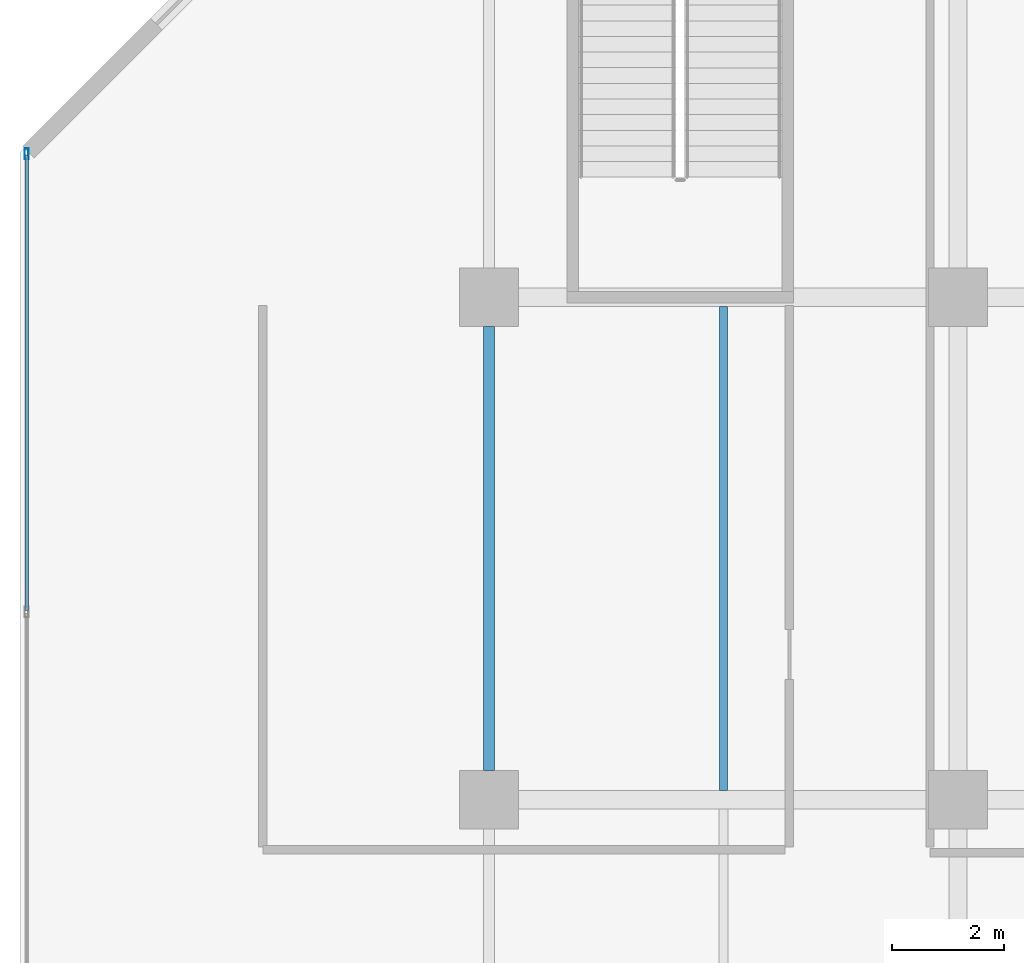
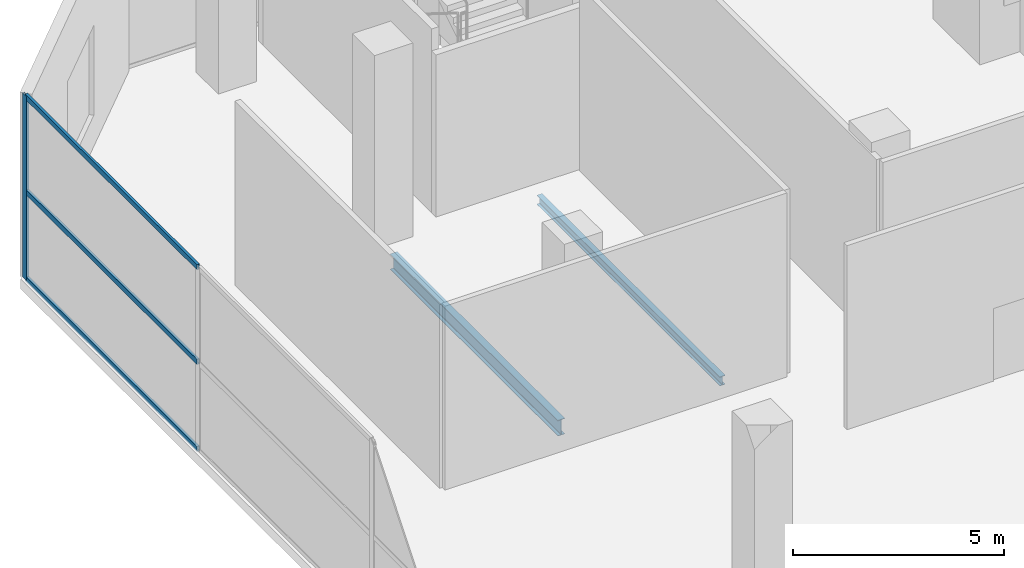
# One storey, part 18 of 40: 4 members, 2 beams, 1 element without a shape of its own.
"""IFC4 building model written with IfcOpenShell, lengths in metres."""

from ifc_helpers import new_model, si_unit, direction, frame, origin, origin_2d, place, context, subcontext, project, spatial, hollow_rectangle, i_section, extrude, material, layer, layer_set, material_profile, profile_set, type_object, element, aggregate, save


model = new_model("IFC4")

# Units and contexts
model_context = context("Model", 3, precision=1e-05, world=origin(), true_north=direction((0.0, 1.0)))
body_context = subcontext(model_context, "Body", "Model", "MODEL_VIEW")
ifc_project = project(units=[si_unit("LENGTHUNIT", "METRE"), si_unit("AREAUNIT", "SQUARE_METRE"), si_unit("VOLUMEUNIT", "CUBIC_METRE"), si_unit("PLANEANGLEUNIT", "RADIAN"), si_unit("MASSUNIT", "GRAM", prefix="KILO")], contexts=[model_context])

# Site, building, storey
site_placement = place(None, origin())
site = spatial("IfcSite", under=ifc_project, at=site_placement, CompositionType="ELEMENT")
building_placement = place(site_placement, origin())
building = spatial("IfcBuilding", under=site, at=building_placement, Name="Maruvema Waterfront Hotel and Observation Tower", CompositionType="ELEMENT")
storey_placement = place(building_placement, frame((0.0, 0.0, 10.85009765625)))
storey = spatial("IfcBuildingStorey", under=building, at=storey_placement, Name="L02", CompositionType="ELEMENT", Elevation=10.85009765625)

# Curtain wall, members
ifc_material_1 = material(Name="Anodised bronze aluminium and solar-control low-E IGU", Category="aluminium")
ifc_layer = layer(ifc_material_1, 0.159912109375, Name="Podium Waterfront Storefront Curtain Wall System CW-01")
ifc_layer_set = layer_set([ifc_layer], Name="Anodised bronze aluminium and solar-control low-E IGU")
curtain_wall_type = type_object("IfcCurtainWallType", Name="Podium Waterfront Storefront Curtain Wall System CW-01", PredefinedType="USERDEFINED", material=ifc_layer_set)
curtain_wall_placement = place(storey_placement, origin())
curtain_wall = element("IfcCurtainWall", 1, at=curtain_wall_placement, inside=storey, type_object=curtain_wall_type, Name="L02 Curtain Wall CW-L02-W", ObjectType="UNITISED CURTAIN WALL", PredefinedType="USERDEFINED")
ifc_material_2 = material(Name="Anodised architectural bronze aluminium", Category="aluminium")
ifc_material_profile_1 = material_profile(ifc_material_2, hollow_rectangle(XDim=0.070068359375, YDim=0.14990234375, WallThickness=0.00390625, at=origin_2d()), Name="ALU-T70x150")
ifc_profile_set_1 = profile_set([ifc_material_profile_1], Name="Anodised architectural bronze aluminium")
member_type_1 = type_object("IfcMemberType", Name="Curtain Wall Horizontal Transom ALU-T70x150", PredefinedType="USERDEFINED", material=ifc_profile_set_1)
member_1_placement = place(storey_placement, frame((0.1201171875, 47.5400390625, 0.02978515625), z_axis=(0.0, -1.0, 0.0), x_axis=(1.0, 0.0, 0.0)))
member_1 = element("IfcMember", 2, at=member_1_placement, type_object=member_type_1, Name="CW-01 transom 1.1", ObjectType="TRANSOM", PredefinedType="USERDEFINED", context=body_context, shape_type="SweptSolid", body=[
    extrude(hollow_rectangle(XDim=0.070068359375, YDim=0.14990234375, WallThickness=0.00390625, at=origin_2d()), origin(), (0.0, 0.0, 1.0), 8.150146484375),
])
member_2_placement = place(storey_placement, frame((0.1201171875, 47.5400390625, 2.5498046875), z_axis=(0.0, -1.0, 0.0), x_axis=(1.0, 0.0, 0.0)))
member_2 = element("IfcMember", 3, at=member_2_placement, type_object=member_type_1, Name="CW-01 transom 1.2", ObjectType="TRANSOM", PredefinedType="USERDEFINED", context=body_context, shape_type="SweptSolid", body=[
    extrude(hollow_rectangle(XDim=0.070068359375, YDim=0.14990234375, WallThickness=0.00390625, at=origin_2d()), origin(), (0.0, 0.0, 1.0), 8.150146484375),
])
member_3_placement = place(storey_placement, frame((0.1201171875, 47.5400390625, 5.289794921875), z_axis=(0.0, -1.0, 0.0), x_axis=(1.0, 0.0, 0.0)))
member_3 = element("IfcMember", 4, at=member_3_placement, type_object=member_type_1, Name="CW-01 transom 1.3", ObjectType="TRANSOM", PredefinedType="USERDEFINED", context=body_context, shape_type="SweptSolid", body=[
    extrude(hollow_rectangle(XDim=0.070068359375, YDim=0.14990234375, WallThickness=0.00390625, at=origin_2d()), origin(), (0.0, 0.0, 1.0), 8.150146484375),
])

# Beam
ifc_material_3 = material(Name="Steel ASTM A572 Grade 50", Category="steel")
ifc_material_profile_2 = material_profile(ifc_material_3, i_section(OverallWidth=0.18994140625, OverallDepth=0.45703125, WebThickness=0.009033203125, FlangeThickness=0.014404296875, FilletRadius=0.014892578125, at=origin_2d()), Name="W460x74.0")
ifc_profile_set_2 = profile_set([ifc_material_profile_2], Name="Steel ASTM A572 Grade 50")
beam_type_1 = type_object("IfcBeamType", Name="Perimeter Spandrel Beam W460x74.0", PredefinedType="SPANDREL", material=ifc_profile_set_2)
beam_1_placement = place(storey_placement, frame((8.39990234375, 36.52490234375, -0.508544921875), z_axis=(0.0, 1.0, 0.0), x_axis=(-1.0, 0.0, 0.0)))
element("IfcBeam", 5, at=beam_1_placement, inside=storey, type_object=beam_type_1, Name="L02 Floor Girder NS-05", PredefinedType="SPANDREL", context=body_context, shape_type="SweptSolid", body=[
    extrude(i_section(OverallWidth=0.18994140625, OverallDepth=0.45703125, WebThickness=0.009033203125, FlangeThickness=0.014404296875, FilletRadius=0.014892578125, at=origin_2d()), origin(), (0.0, 0.0, 1.0), 7.9501953125),
])

# Member
ifc_material_4 = material(Name="Anodised architectural bronze aluminium", Category="aluminium")
ifc_material_profile_3 = material_profile(ifc_material_4, hollow_rectangle(XDim=0.070068359375, YDim=0.18994140625, WallThickness=0.00390625, at=origin_2d()), Name="ALU-M70x190")
ifc_profile_set_3 = profile_set([ifc_material_profile_3], Name="Anodised architectural bronze aluminium")
member_type_2 = type_object("IfcMemberType", Name="Podium Storefront Heavy Mullion ALU-M70x190", PredefinedType="MULLION", material=ifc_profile_set_3)
member_4_placement = place(storey_placement, frame((0.1201171875, 47.570068359375, 0.0), z_axis=(0.0, 0.0, 1.0), x_axis=(1.0, 0.0, 0.0)))
member_4 = element("IfcMember", 6, at=member_4_placement, type_object=member_type_2, Name="CW-01 mullion 1", PredefinedType="MULLION", context=body_context, shape_type="SweptSolid", body=[
    extrude(hollow_rectangle(XDim=0.070068359375, YDim=0.18994140625, WallThickness=0.00390625, at=origin_2d()), origin(), (0.0, 0.0, 1.0), 5.31982421875),
])

aggregate(curtain_wall, [member_4, member_1, member_2, member_3])

# Beam
ifc_material_5 = material(Name="Steel ASTM A572 Grade 50", Category="steel")
ifc_material_profile_4 = material_profile(ifc_material_5, i_section(OverallWidth=0.14794921875, OverallDepth=0.26611328125, WebThickness=0.007568359375, FlangeThickness=0.012939453125, FilletRadius=0.012939453125, at=origin_2d()), Name="W250x44.8")
ifc_profile_set_4 = profile_set([ifc_material_profile_4], Name="Steel ASTM A572 Grade 50")
beam_type_2 = type_object("IfcBeamType", Name="Secondary Floor Joist W250x44.8", PredefinedType="JOIST", material=ifc_profile_set_4)
beam_2_placement = place(storey_placement, frame((12.60009765625, 36.16455078125, -0.4130859375), z_axis=(0.0, 1.0, 0.0), x_axis=(-1.0, 0.0, 0.0)))
element("IfcBeam", 7, at=beam_2_placement, inside=storey, type_object=beam_type_2, Name="L02 Secondary Floor Joist JS-04", PredefinedType="JOIST", context=body_context, shape_type="SweptSolid", body=[
    extrude(i_section(OverallWidth=0.14794921875, OverallDepth=0.26611328125, WebThickness=0.007568359375, FlangeThickness=0.012939453125, FilletRadius=0.012939453125, at=origin_2d()), origin(), (0.0, 0.0, 1.0), 8.6708984375),
])

save(model, "model.ifc")
